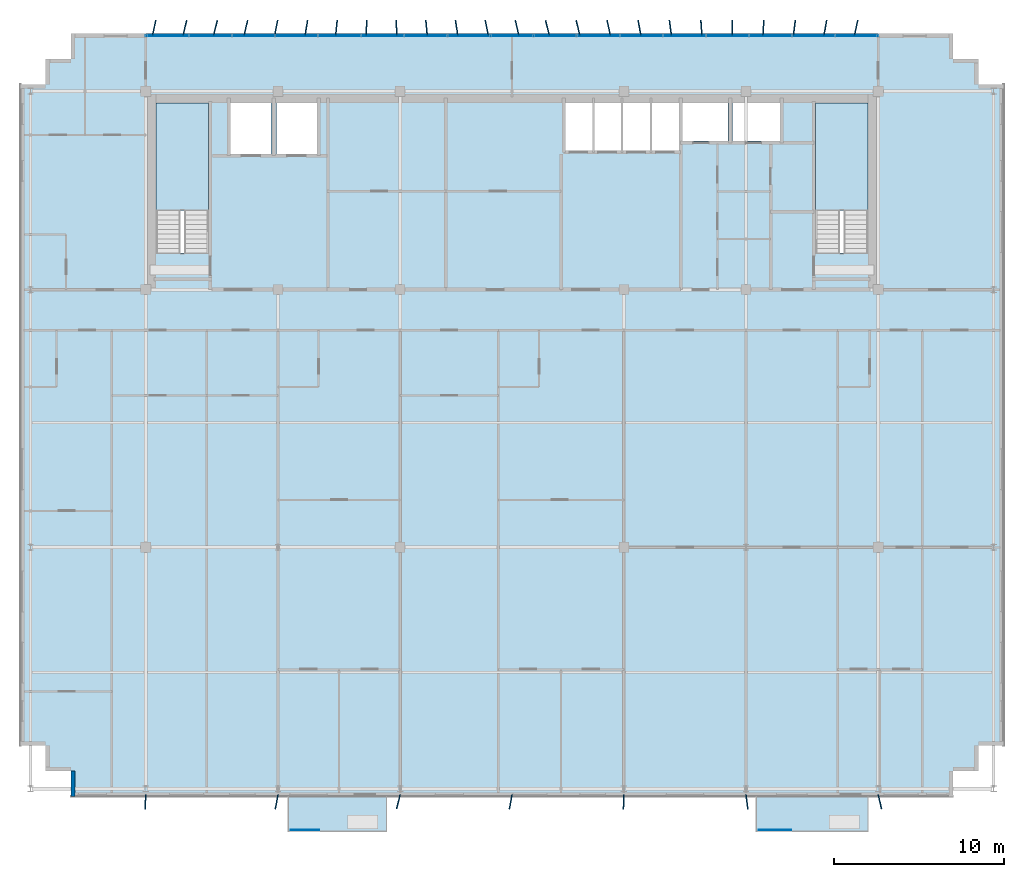
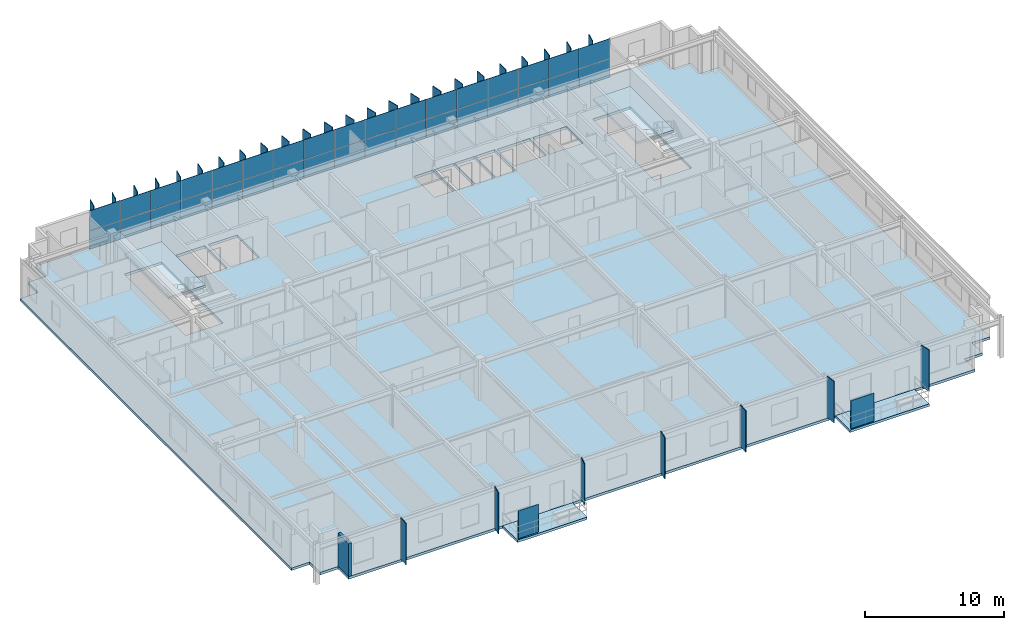
# One storey, part 15 of 23: 67 plates, 5 slabs, 1 wall, 3 elements without a shape of their own.
"""IFC4 building model written with IfcOpenShell, lengths in metres."""

from ifc_helpers import new_model, si_unit, direction, frame, frame_2d, origin, origin_2d, place, context, subcontext, project, spatial, polyline, rectangle, outline, extrude, source, transform, mapped, material, layer, layer_set, type_object, element, aggregate, save


model = new_model("IFC4")

# Units and contexts
model_context = context("Model", 3, precision=1e-05, world=origin(), true_north=direction((0.0, 1.0)))
body_context = subcontext(model_context, "Body", "Model", "MODEL_VIEW")
ifc_project = project(units=[si_unit("LENGTHUNIT", "METRE"), si_unit("AREAUNIT", "SQUARE_METRE"), si_unit("VOLUMEUNIT", "CUBIC_METRE"), si_unit("PLANEANGLEUNIT", "RADIAN"), si_unit("MASSUNIT", "GRAM", prefix="KILO")], contexts=[model_context])

# Site, building, storey
site_placement = place(None, origin())
site = spatial("IfcSite", under=ifc_project, at=site_placement, CompositionType="ELEMENT")
building_placement = place(site_placement, origin())
building = spatial("IfcBuilding", under=site, at=building_placement, Name="Trelvane Seafront Commons", CompositionType="ELEMENT")
storey_placement = place(building_placement, frame((0.0, 0.0, 259.5)))
storey = spatial("IfcBuildingStorey", under=building, at=storey_placement, Name="L67", CompositionType="ELEMENT", Elevation=259.5)

# Slabs
ifc_material_1 = material(Name="Concrete C40/50", Category="concrete")
ifc_layer_1 = layer(ifc_material_1, 0.219970703125, Name="ARCH-BALC-220")
ifc_layer_set_1 = layer_set([ifc_layer_1], Name="Concrete C40/50")
slab_type_1 = type_object("IfcSlabType", Name="ARCH-BALC-220", PredefinedType="FLOOR", material=ifc_layer_set_1)
slab_1_placement = place(storey_placement, frame((0.0, 0.0, -0.219970703125)))
element("IfcSlab", 1, at=slab_1_placement, inside=storey, type_object=slab_type_1, Name="L67 Cantilevered Tree Balcony Loggia 2", PredefinedType="FLOOR", context=body_context, shape_type="SweptSolid", body=[
    extrude(outline(polyline([(24.0, 1.39990234375), (29.800048828125, 1.39990234375), (29.800048828125, 3.5), (24.0, 3.5), (24.0, 1.39990234375)])), origin(), (0.0, 0.0, 1.0), 0.219970703125),
])
slab_2_placement = place(storey_placement, frame((0.0, 0.0, -0.219970703125)))
element("IfcSlab", 2, at=slab_2_placement, inside=storey, type_object=slab_type_1, Name="L67 Cantilevered Tree Balcony Loggia 3", PredefinedType="FLOOR", context=body_context, shape_type="SweptSolid", body=[
    extrude(outline(polyline([(51.60009765625, 1.39990234375), (58.199951171875, 1.39990234375), (58.199951171875, 3.5), (51.60009765625, 3.5), (51.60009765625, 1.39990234375)])), origin(), (0.0, 0.0, 1.0), 0.219970703125),
])

# Stair, slab
stair_type_1 = type_object("IfcStairType", Name="ARCH-STR-ST-1-R20-180", PredefinedType="HALF_TURN_STAIR", material=ifc_material_1)
stair_1_placement = place(storey_placement, origin())
stair_1 = element("IfcStair", 3, at=stair_1_placement, inside=storey, type_object=stair_type_1, Name="L67 West Protected Firefighting Exit Stair ST-1", PredefinedType="HALF_TURN_STAIR")
ifc_layer_2 = layer(ifc_material_1, 0.199951171875, Name="ARCH-LND-200")
ifc_layer_set_2 = layer_set([ifc_layer_2], Name="Concrete C40/50")
slab_type_2 = type_object("IfcSlabType", Name="ARCH-LND-200", PredefinedType="LANDING", material=ifc_layer_set_2)
slab_3_placement = place(storey_placement, frame((0.0, 0.0, 1.60009765625)))
slab_3 = element("IfcSlab", 4, at=slab_3_placement, type_object=slab_type_2, Name="ST-1 landing 1", PredefinedType="LANDING", context=body_context, shape_type="SweptSolid", body=[
    extrude(outline(polyline([(19.300048828125, 38.070068359375), (19.300048828125, 44.39990234375), (16.199951171875, 44.39990234375), (16.199951171875, 38.070068359375), (19.300048828125, 38.070068359375)])), origin(), (0.0, 0.0, 1.0), 0.199951171875),
])
aggregate(stair_1, [slab_3])

stair_type_2 = type_object("IfcStairType", Name="ARCH-STR-ST-2-R20-180", PredefinedType="HALF_TURN_STAIR", material=ifc_material_1)
stair_2_placement = place(storey_placement, origin())
stair_2 = element("IfcStair", 5, at=stair_2_placement, inside=storey, type_object=stair_type_2, Name="L67 East Protected Firefighting Exit Stair ST-2", PredefinedType="HALF_TURN_STAIR")
slab_4_placement = place(storey_placement, frame((0.0, 0.0, 1.60009765625)))
slab_4 = element("IfcSlab", 6, at=slab_4_placement, type_object=slab_type_2, Name="ST-2 landing 1", PredefinedType="LANDING", context=body_context, shape_type="SweptSolid", body=[
    extrude(outline(polyline([(58.199951171875, 38.070068359375), (58.199951171875, 44.39990234375), (55.10009765625, 44.39990234375), (55.10009765625, 38.070068359375), (58.199951171875, 38.070068359375)])), origin(), (0.0, 0.0, 1.0), 0.199951171875),
])
aggregate(stair_2, [slab_4])

# Slab
ifc_material_2 = material(Name="Concrete C50/60", Category="concrete")
ifc_layer_3 = layer(ifc_material_2, 0.22998046875, Name="STR-SLB-Z5-230")
ifc_layer_set_3 = layer_set([ifc_layer_3], Name="Concrete C50/60")
slab_type_3 = type_object("IfcSlabType", Name="STR-SLB-Z5-230", PredefinedType="FLOOR", material=ifc_layer_set_3)
slab_5_placement = place(storey_placement, frame((0.0, 0.0, -0.22998046875)))
element("IfcSlab", 7, at=slab_5_placement, inside=storey, type_object=slab_type_3, Name="L67 Structural Floor Slab", PredefinedType="FLOOR", context=body_context, shape_type="SweptSolid", body=[
    extrude(outline(polyline([(11.199951171875, 3.5), (63.199951171875, 3.5), (63.199951171875, 5.0), (64.699951171875, 5.0), (64.699951171875, 6.5), (66.199951171875, 6.5), (66.199951171875, 45.5), (64.699951171875, 45.5), (64.699951171875, 47.0), (63.199951171875, 47.0), (63.199951171875, 48.5), (11.199951171875, 48.5), (11.199951171875, 47.0), (9.699951171875, 47.0), (9.699951171875, 45.5), (8.199951171875, 45.5), (8.199951171875, 6.5), (9.699951171875, 6.5), (9.699951171875, 5.0), (11.199951171875, 5.0), (11.199951171875, 3.5)]), holes=[polyline([(19.300048828125, 35.550048828125), (16.199951171875, 35.550048828125), (16.199951171875, 44.39990234375), (19.300048828125, 44.39990234375), (19.300048828125, 35.550048828125)]), polyline([(58.199951171875, 35.550048828125), (55.10009765625, 35.550048828125), (55.10009765625, 44.39990234375), (58.199951171875, 44.39990234375), (58.199951171875, 35.550048828125)]), polyline([(23.0, 41.39990234375), (20.60009765625, 41.39990234375), (20.60009765625, 44.60009765625), (23.0, 44.60009765625), (23.0, 41.39990234375)]), polyline([(23.300048828125, 41.39990234375), (23.300048828125, 44.60009765625), (25.699951171875, 44.60009765625), (25.699951171875, 41.39990234375), (23.300048828125, 41.39990234375)]), polyline([(40.35009765625, 41.60009765625), (40.35009765625, 44.60009765625), (41.969970703125, 44.60009765625), (41.969970703125, 41.60009765625), (40.35009765625, 41.60009765625)]), polyline([(43.669921875, 41.60009765625), (42.050048828125, 41.60009765625), (42.050048828125, 44.60009765625), (43.669921875, 44.60009765625), (43.669921875, 41.60009765625)]), polyline([(45.3701171875, 41.60009765625), (43.75, 41.60009765625), (43.75, 44.60009765625), (45.3701171875, 44.60009765625), (45.3701171875, 41.60009765625)]), polyline([(47.070068359375, 41.60009765625), (45.449951171875, 41.60009765625), (45.449951171875, 44.60009765625), (47.070068359375, 44.60009765625), (47.070068359375, 41.60009765625)]), polyline([(47.25, 42.14990234375), (47.25, 44.550048828125), (49.949951171875, 44.550048828125), (49.949951171875, 42.14990234375), (47.25, 42.14990234375)]), polyline([(50.199951171875, 42.14990234375), (50.199951171875, 44.550048828125), (53.0, 44.550048828125), (53.0, 42.14990234375), (50.199951171875, 42.14990234375)])]), origin(), (0.0, 0.0, 1.0), 0.22998046875),
])

# Plates
ifc_material_3 = material(Name="Perforated anodised aluminium screen", Category="aluminium")
ifc_layer_4 = layer(ifc_material_3, 0.01611328125, Name="ARCH-PLATE-SCREEN")
ifc_layer_set_4 = layer_set([ifc_layer_4], Name="Perforated anodised aluminium screen")
plate_type_1 = type_object("IfcPlateType", Name="ARCH-PLATE-SCREEN", PredefinedType="USERDEFINED", material=ifc_layer_set_4)
shared_shape_1 = source(origin(), body_context, "Body", "SweptSolid", [
    extrude(rectangle(XDim=1.9140625, YDim=0.01611328125, at=origin_2d()), origin(), (0.0, 0.0, 1.0), 2.449951171875),
])
plate_1_placement = place(storey_placement, frame((52.70703125, 1.52001953125, 0.0), z_axis=(0.0, 0.0, 1.0), x_axis=(1.0, 0.0, 0.0)))
element("IfcPlate", 8, at=plate_1_placement, inside=storey, type_object=plate_type_1, Name="SCR-L67-00233", ObjectType="SCREEN", PredefinedType="USERDEFINED", context=body_context, shape_type="MappedRepresentation", body=[
    mapped(shared_shape_1, transform((0.0, 0.0, 0.0), x_axis=(1.0, 0.0, 0.0), y_axis=(0.0, 1.0, 0.0), z_axis=(0.0, 0.0, 1.0), scale=1.0)),
])
shared_shape_2 = source(origin(), body_context, "Body", "SweptSolid", [
    extrude(rectangle(XDim=1.681884765625, YDim=0.01611328125, at=origin_2d()), origin(), (0.0, 0.0, 1.0), 2.449951171875),
])
plate_2_placement = place(storey_placement, frame((24.990966796875, 1.52001953125, 0.0), z_axis=(0.0, 0.0, 1.0), x_axis=(1.0, 0.0, 0.0)))
element("IfcPlate", 9, at=plate_2_placement, inside=storey, type_object=plate_type_1, Name="SCR-L67-00232", ObjectType="SCREEN", PredefinedType="USERDEFINED", context=body_context, shape_type="MappedRepresentation", body=[
    mapped(shared_shape_2, transform((0.0, 0.0, 0.0), x_axis=(1.0, 0.0, 0.0), y_axis=(0.0, 1.0, 0.0), z_axis=(0.0, 0.0, 1.0), scale=1.0)),
])
ifc_material_4 = material(Name="Anodised pale-silver aluminium", Category="aluminium")
ifc_layer_5 = layer(ifc_material_4, 0.06005859375, Name="ARCH-PLATE-FIN900")
ifc_layer_set_5 = layer_set([ifc_layer_5], Name="Anodised pale-silver aluminium")
plate_type_2 = type_object("IfcPlateType", Name="ARCH-PLATE-FIN900", PredefinedType="USERDEFINED", material=ifc_layer_set_5)
shared_shape_3 = source(origin(), body_context, "Body", "SweptSolid", [
    extrude(rectangle(XDim=0.89990234375, YDim=0.06005859375, at=origin_2d()), origin(), (0.0, 0.0, 1.0), 3.639892578125),
])
for number, where, z_axis, x_axis, name in (
    (10, (16.095947265625, 48.839599609375, -0.02001953125), (0.0, 0.0, 1.0), (0.213117354008, 0.977026608348, 0.0), "FIN-L67-01849"),
    (11, (17.90625, 48.83740234375, -0.02001953125), (0.0, 0.0, 1.0), (0.235993611507, 0.971754606538, 0.0), "FIN-L67-01850"),
    (12, (19.708740234375, 48.836669921875, -0.02001953125), (0.0, 0.0, 1.0), (0.24167294527, 0.970357762645, 0.0), "FIN-L67-01851"),
    (13, (21.50341796875, 48.837890625, -0.02001953125), (0.0, 0.0, 1.0), (0.229677745048, 0.973266732931, 0.0), "FIN-L67-01852"),
    (14, (23.290283203125, 48.8408203125, -0.02001953125), (0.0, 0.0, 1.0), (0.200877884238, 0.979616289995, 0.0), "FIN-L67-01853"),
    (15, (25.07080078125, 48.844482421875, -0.02001953125), (0.0, 0.0, 1.0), (0.157115345146, 0.987580259179, 0.0), "FIN-L67-01854"),
    (16, (26.845703125, 48.84765625, -0.02001953125), (0.0, 0.0, 1.0), (0.101440032819, 0.994841655612, 0.0), "FIN-L67-01855"),
    (17, (28.616943359375, 48.849609375, -0.02001953125), (0.0, 0.0, 1.0), (0.037887264009, 0.999282019865, 0.0), "FIN-L67-01856"),
    (18, (30.38720703125, 48.849853515625, -0.02001953125), (0.0, 0.0, 1.0), (-0.028668340539, 0.999588978656, 0.0), "FIN-L67-01857"),
    (19, (32.158203125, 48.84814453125, -0.02001953125), (0.0, 0.0, 1.0), (-0.092890197211, 0.995676358694, 0.0), "FIN-L67-01858"),
    (20, (33.9326171875, 48.844970703125, -0.02001953125), (0.0, 0.0, 1.0), (-0.150002992873, 0.988685542591, 0.0), "FIN-L67-01859"),
    (21, (35.7119140625, 48.84130859375, -0.02001953125), (0.0, 0.0, 1.0), (-0.195667162559, 0.980670363321, 0.0), "FIN-L67-01860"),
    (22, (37.498046875, 48.83837890625, -0.02001953125), (0.0, 0.0, 1.0), (-0.226659806972, 0.973973989336, 0.0), "FIN-L67-01861"),
    (23, (39.29150390625, 48.836669921875, -0.02001953125), (0.0, 0.0, 1.0), (-0.240992061138, 0.970527086932, 0.0), "FIN-L67-01862"),
    (24, (41.093017578125, 48.837158203125, -0.02001953125), (0.0, 0.0, 1.0), (-0.237879153157, 0.971294758811, 0.0), "FIN-L67-01863"),
    (25, (42.902099609375, 48.839111328125, -0.02001953125), (0.0, 0.0, 1.0), (-0.217330693667, 0.976098032776, 0.0), "FIN-L67-01864"),
    (26, (44.718505859375, 48.842529296875, -0.02001953125), (0.0, 0.0, 1.0), (-0.180771487747, 0.983525123837, 0.0), "FIN-L67-01865"),
    (27, (46.541259765625, 48.84619140625, -0.02001953125), (0.0, 0.0, 1.0), (-0.130555608924, 0.991440988147, 0.0), "FIN-L67-01866"),
    (28, (48.368408203125, 48.848876953125, -0.02001953125), (0.0, 0.0, 1.0), (-0.070331017789, 0.997523707957, 0.0), "FIN-L67-01867"),
    (29, (50.197998046875, 48.85009765625, -0.02001953125), (0.0, 0.0, 1.0), (-0.004666993478, 0.999989109527, 0.0), "FIN-L67-01868"),
    (30, (52.027587890625, 48.84912109375, -0.02001953125), (0.0, 0.0, 1.0), (0.061334237143, 0.998117283366, 0.0), "FIN-L67-01869"),
    (31, (53.855224609375, 48.8466796875, -0.02001953125), (0.0, 0.0, 1.0), (0.122667903314, 0.992447774695, 0.0), "FIN-L67-01870"),
    (32, (55.678466796875, 48.843017578125, -0.02001953125), (0.0, 0.0, 1.0), (0.174443931663, 0.984667108573, 0.0), "FIN-L67-01871"),
    (33, (57.495849609375, 48.839599609375, -0.02001953125), (0.0, 0.0, 1.0), (0.213117354008, 0.977026608348, 0.0), "FIN-L67-01872"),
):
    element("IfcPlate", number, at=place(storey_placement, frame(where, z_axis=z_axis, x_axis=x_axis)), inside=storey, type_object=plate_type_2, Name=name, ObjectType="FIN", PredefinedType="USERDEFINED", context=body_context, shape_type="MappedRepresentation", body=[
        mapped(shared_shape_3, transform((0.0, 0.0, 0.0), x_axis=(1.0, 0.0, 0.0), y_axis=(0.0, 1.0, 0.0), z_axis=(0.0, 0.0, 1.0), scale=1.0)),
    ])
shared_shape_4 = source(origin(), body_context, "Body", "SweptSolid", [
    extrude(rectangle(XDim=0.85009765625, YDim=0.06005859375, at=origin_2d()), origin(), (0.0, 0.0, 1.0), 3.639892578125),
])
for number, where, z_axis, x_axis, name in (
    (34, (15.5791015625, 3.175537109375, -0.02001953125), (0.0, 0.0, 1.0), (-0.049174010892, -0.998790226551, 0.0), "FIN-S-L67-01873"),
    (35, (23.319091796875, 3.182861328125, -0.02001953125), (0.0, 0.0, 1.0), (-0.190706198572, -0.981647159537, 0.0), "FIN-S-L67-01874"),
    (36, (30.497314453125, 3.1875, -0.02001953125), (0.0, 0.0, 1.0), (-0.241761011151, -0.970335825108, 0.0), "FIN-S-L67-01875"),
    (37, (37.123291015625, 3.181884765625, -0.02001953125), (0.0, 0.0, 1.0), (-0.180707974089, -0.983536795499, 0.0), "FIN-S-L67-01876"),
    (38, (43.78564453125, 3.17529296875, -0.02001953125), (0.0, 0.0, 1.0), (-0.033765701559, -0.999429776121, 0.0), "FIN-S-L67-01877"),
    (39, (51.05517578125, 3.1787109375, -0.02001953125), (0.0, 0.0, 1.0), (0.129650560188, -0.991559747188, 0.0), "FIN-S-L67-01878"),
    (40, (58.89794921875, 3.186279296875, -0.02001953125), (0.0, 0.0, 1.0), (0.23058643372, -0.973051846812, 0.0), "FIN-S-L67-01879"),
):
    element("IfcPlate", number, at=place(storey_placement, frame(where, z_axis=z_axis, x_axis=x_axis)), inside=storey, type_object=plate_type_2, Name=name, ObjectType="FIN", PredefinedType="USERDEFINED", context=body_context, shape_type="MappedRepresentation", body=[
        mapped(shared_shape_4, transform((0.0, 0.0, 0.0), x_axis=(1.0, 0.0, 0.0), y_axis=(0.0, 1.0, 0.0), z_axis=(0.0, 0.0, 1.0), scale=1.0)),
    ])

# Curtain wall, plates
curtain_wall_type = type_object("IfcCurtainWallType", Name="ARCH-CW5-UPTOWER", PredefinedType="NOTDEFINED", material=ifc_material_4)
curtain_wall_placement = place(storey_placement, origin())
curtain_wall = element("IfcCurtainWall", 41, at=curtain_wall_placement, inside=storey, type_object=curtain_wall_type, Name="CW-L67-0111", PredefinedType="NOTDEFINED")
ifc_material_5 = material(Name="Low-E coastal double glazing", Category="glass")
ifc_layer_6 = layer(ifc_material_5, 0.033935546875, Name="ARCH-CW-GLAZ-34")
ifc_layer_set_6 = layer_set([ifc_layer_6], Name="Low-E coastal double glazing")
plate_type_3 = type_object("IfcPlateType", Name="ARCH-CW-GLAZ-34", PredefinedType="CURTAIN_PANEL", material=ifc_layer_set_6)
shared_shape_5 = source(origin(), body_context, "Body", "SweptSolid", [
    extrude(rectangle(XDim=2.51708984375, YDim=0.033935546875, at=origin_2d()), origin(), (0.0, 0.0, 1.0), 1.60009765625),
])
plate_3_placement = place(storey_placement, frame((16.87060546875, 48.3701171875, 0.0), z_axis=(0.0, 0.0, 1.0), x_axis=(1.0, 0.0, 0.0)))
plate_3 = element("IfcPlate", 42, at=plate_3_placement, type_object=plate_type_3, Name="CW-L67-0111-P00-1", PredefinedType="CURTAIN_PANEL", context=body_context, shape_type="MappedRepresentation", body=[
    mapped(shared_shape_5, transform((0.0, 0.0, 0.0), x_axis=(1.0, 0.0, 0.0), y_axis=(0.0, 1.0, 0.0), z_axis=(0.0, 0.0, 1.0), scale=1.0)),
])
plate_4_placement = place(storey_placement, frame((19.411865234375, 48.3701171875, 0.0), z_axis=(0.0, 0.0, 1.0), x_axis=(1.0, 0.0, 0.0)))
plate_4 = element("IfcPlate", 43, at=plate_4_placement, type_object=plate_type_3, Name="CW-L67-0111-P01-1", PredefinedType="CURTAIN_PANEL", context=body_context, shape_type="MappedRepresentation", body=[
    mapped(shared_shape_5, transform((0.0, 0.0, 0.0), x_axis=(1.0, 0.0, 0.0), y_axis=(0.0, 1.0, 0.0), z_axis=(0.0, 0.0, 1.0), scale=1.0)),
])
plate_5_placement = place(storey_placement, frame((21.952880859375, 48.3701171875, 0.0), z_axis=(0.0, 0.0, 1.0), x_axis=(1.0, 0.0, 0.0)))
plate_5 = element("IfcPlate", 44, at=plate_5_placement, type_object=plate_type_3, Name="CW-L67-0111-P02-1", PredefinedType="CURTAIN_PANEL", context=body_context, shape_type="MappedRepresentation", body=[
    mapped(shared_shape_5, transform((0.0, 0.0, 0.0), x_axis=(1.0, 0.0, 0.0), y_axis=(0.0, 1.0, 0.0), z_axis=(0.0, 0.0, 1.0), scale=1.0)),
])
plate_6_placement = place(storey_placement, frame((24.494140625, 48.3701171875, 0.0), z_axis=(0.0, 0.0, 1.0), x_axis=(1.0, 0.0, 0.0)))
plate_6 = element("IfcPlate", 45, at=plate_6_placement, type_object=plate_type_3, Name="CW-L67-0111-P03-1", PredefinedType="CURTAIN_PANEL", context=body_context, shape_type="MappedRepresentation", body=[
    mapped(shared_shape_5, transform((0.0, 0.0, 0.0), x_axis=(1.0, 0.0, 0.0), y_axis=(0.0, 1.0, 0.0), z_axis=(0.0, 0.0, 1.0), scale=1.0)),
])
plate_7_placement = place(storey_placement, frame((27.035400390625, 48.3701171875, 0.0), z_axis=(0.0, 0.0, 1.0), x_axis=(1.0, 0.0, 0.0)))
plate_7 = element("IfcPlate", 46, at=plate_7_placement, type_object=plate_type_3, Name="CW-L67-0111-P04-1", PredefinedType="CURTAIN_PANEL", context=body_context, shape_type="MappedRepresentation", body=[
    mapped(shared_shape_5, transform((0.0, 0.0, 0.0), x_axis=(1.0, 0.0, 0.0), y_axis=(0.0, 1.0, 0.0), z_axis=(0.0, 0.0, 1.0), scale=1.0)),
])
plate_8_placement = place(storey_placement, frame((29.576416015625, 48.3701171875, 0.0), z_axis=(0.0, 0.0, 1.0), x_axis=(1.0, 0.0, 0.0)))
plate_8 = element("IfcPlate", 47, at=plate_8_placement, type_object=plate_type_3, Name="CW-L67-0111-P05-1", PredefinedType="CURTAIN_PANEL", context=body_context, shape_type="MappedRepresentation", body=[
    mapped(shared_shape_5, transform((0.0, 0.0, 0.0), x_axis=(1.0, 0.0, 0.0), y_axis=(0.0, 1.0, 0.0), z_axis=(0.0, 0.0, 1.0), scale=1.0)),
])
plate_9_placement = place(storey_placement, frame((32.11767578125, 48.3701171875, 0.0), z_axis=(0.0, 0.0, 1.0), x_axis=(1.0, 0.0, 0.0)))
plate_9 = element("IfcPlate", 48, at=plate_9_placement, type_object=plate_type_3, Name="CW-L67-0111-P06-1", PredefinedType="CURTAIN_PANEL", context=body_context, shape_type="MappedRepresentation", body=[
    mapped(shared_shape_5, transform((0.0, 0.0, 0.0), x_axis=(1.0, 0.0, 0.0), y_axis=(0.0, 1.0, 0.0), z_axis=(0.0, 0.0, 1.0), scale=1.0)),
])
plate_10_placement = place(storey_placement, frame((34.65869140625, 48.3701171875, 0.0), z_axis=(0.0, 0.0, 1.0), x_axis=(1.0, 0.0, 0.0)))
plate_10 = element("IfcPlate", 49, at=plate_10_placement, type_object=plate_type_3, Name="CW-L67-0111-P07-1", PredefinedType="CURTAIN_PANEL", context=body_context, shape_type="MappedRepresentation", body=[
    mapped(shared_shape_5, transform((0.0, 0.0, 0.0), x_axis=(1.0, 0.0, 0.0), y_axis=(0.0, 1.0, 0.0), z_axis=(0.0, 0.0, 1.0), scale=1.0)),
])
plate_11_placement = place(storey_placement, frame((37.199951171875, 48.3701171875, 0.0), z_axis=(0.0, 0.0, 1.0), x_axis=(1.0, 0.0, 0.0)))
plate_11 = element("IfcPlate", 50, at=plate_11_placement, type_object=plate_type_3, Name="CW-L67-0111-P08-1", PredefinedType="CURTAIN_PANEL", context=body_context, shape_type="MappedRepresentation", body=[
    mapped(shared_shape_5, transform((0.0, 0.0, 0.0), x_axis=(1.0, 0.0, 0.0), y_axis=(0.0, 1.0, 0.0), z_axis=(0.0, 0.0, 1.0), scale=1.0)),
])
plate_12_placement = place(storey_placement, frame((39.7412109375, 48.3701171875, 0.0), z_axis=(0.0, 0.0, 1.0), x_axis=(1.0, 0.0, 0.0)))
plate_12 = element("IfcPlate", 51, at=plate_12_placement, type_object=plate_type_3, Name="CW-L67-0111-P09-1", PredefinedType="CURTAIN_PANEL", context=body_context, shape_type="MappedRepresentation", body=[
    mapped(shared_shape_5, transform((0.0, 0.0, 0.0), x_axis=(1.0, 0.0, 0.0), y_axis=(0.0, 1.0, 0.0), z_axis=(0.0, 0.0, 1.0), scale=1.0)),
])
plate_13_placement = place(storey_placement, frame((42.282470703125, 48.3701171875, 0.0), z_axis=(0.0, 0.0, 1.0), x_axis=(1.0, 0.0, 0.0)))
plate_13 = element("IfcPlate", 52, at=plate_13_placement, type_object=plate_type_3, Name="CW-L67-0111-P10-1", PredefinedType="CURTAIN_PANEL", context=body_context, shape_type="MappedRepresentation", body=[
    mapped(shared_shape_5, transform((0.0, 0.0, 0.0), x_axis=(1.0, 0.0, 0.0), y_axis=(0.0, 1.0, 0.0), z_axis=(0.0, 0.0, 1.0), scale=1.0)),
])
plate_14_placement = place(storey_placement, frame((44.823486328125, 48.3701171875, 0.0), z_axis=(0.0, 0.0, 1.0), x_axis=(1.0, 0.0, 0.0)))
plate_14 = element("IfcPlate", 53, at=plate_14_placement, type_object=plate_type_3, Name="CW-L67-0111-P11-1", PredefinedType="CURTAIN_PANEL", context=body_context, shape_type="MappedRepresentation", body=[
    mapped(shared_shape_5, transform((0.0, 0.0, 0.0), x_axis=(1.0, 0.0, 0.0), y_axis=(0.0, 1.0, 0.0), z_axis=(0.0, 0.0, 1.0), scale=1.0)),
])
plate_15_placement = place(storey_placement, frame((47.36474609375, 48.3701171875, 0.0), z_axis=(0.0, 0.0, 1.0), x_axis=(1.0, 0.0, 0.0)))
plate_15 = element("IfcPlate", 54, at=plate_15_placement, type_object=plate_type_3, Name="CW-L67-0111-P12-1", PredefinedType="CURTAIN_PANEL", context=body_context, shape_type="MappedRepresentation", body=[
    mapped(shared_shape_5, transform((0.0, 0.0, 0.0), x_axis=(1.0, 0.0, 0.0), y_axis=(0.0, 1.0, 0.0), z_axis=(0.0, 0.0, 1.0), scale=1.0)),
])
plate_16_placement = place(storey_placement, frame((49.906005859375, 48.3701171875, 0.0), z_axis=(0.0, 0.0, 1.0), x_axis=(1.0, 0.0, 0.0)))
plate_16 = element("IfcPlate", 55, at=plate_16_placement, type_object=plate_type_3, Name="CW-L67-0111-P13-1", PredefinedType="CURTAIN_PANEL", context=body_context, shape_type="MappedRepresentation", body=[
    mapped(shared_shape_5, transform((0.0, 0.0, 0.0), x_axis=(1.0, 0.0, 0.0), y_axis=(0.0, 1.0, 0.0), z_axis=(0.0, 0.0, 1.0), scale=1.0)),
])
plate_17_placement = place(storey_placement, frame((52.447021484375, 48.3701171875, 0.0), z_axis=(0.0, 0.0, 1.0), x_axis=(1.0, 0.0, 0.0)))
plate_17 = element("IfcPlate", 56, at=plate_17_placement, type_object=plate_type_3, Name="CW-L67-0111-P14-1", PredefinedType="CURTAIN_PANEL", context=body_context, shape_type="MappedRepresentation", body=[
    mapped(shared_shape_5, transform((0.0, 0.0, 0.0), x_axis=(1.0, 0.0, 0.0), y_axis=(0.0, 1.0, 0.0), z_axis=(0.0, 0.0, 1.0), scale=1.0)),
])
plate_18_placement = place(storey_placement, frame((54.98828125, 48.3701171875, 0.0), z_axis=(0.0, 0.0, 1.0), x_axis=(1.0, 0.0, 0.0)))
plate_18 = element("IfcPlate", 57, at=plate_18_placement, type_object=plate_type_3, Name="CW-L67-0111-P15-1", PredefinedType="CURTAIN_PANEL", context=body_context, shape_type="MappedRepresentation", body=[
    mapped(shared_shape_5, transform((0.0, 0.0, 0.0), x_axis=(1.0, 0.0, 0.0), y_axis=(0.0, 1.0, 0.0), z_axis=(0.0, 0.0, 1.0), scale=1.0)),
])
plate_19_placement = place(storey_placement, frame((57.529296875, 48.3701171875, 0.0), z_axis=(0.0, 0.0, 1.0), x_axis=(1.0, 0.0, 0.0)))
plate_19 = element("IfcPlate", 58, at=plate_19_placement, type_object=plate_type_3, Name="CW-L67-0111-P16-1", PredefinedType="CURTAIN_PANEL", context=body_context, shape_type="MappedRepresentation", body=[
    mapped(shared_shape_5, transform((0.0, 0.0, 0.0), x_axis=(1.0, 0.0, 0.0), y_axis=(0.0, 1.0, 0.0), z_axis=(0.0, 0.0, 1.0), scale=1.0)),
])
shared_shape_6 = source(origin(), body_context, "Body", "SweptSolid", [
    extrude(rectangle(XDim=2.51708984375, YDim=0.033935546875, at=origin_2d()), origin(), (0.0, 0.0, 1.0), 1.73388671875),
])
plate_20_placement = place(storey_placement, frame((16.87060546875, 48.3701171875, 1.635986328125), z_axis=(0.0, 0.0, 1.0), x_axis=(1.0, 0.0, 0.0)))
plate_20 = element("IfcPlate", 59, at=plate_20_placement, type_object=plate_type_3, Name="CW-L67-0111-P00-2", PredefinedType="CURTAIN_PANEL", context=body_context, shape_type="MappedRepresentation", body=[
    mapped(shared_shape_6, transform((0.0, 0.0, 0.0), x_axis=(1.0, 0.0, 0.0), y_axis=(0.0, 1.0, 0.0), z_axis=(0.0, 0.0, 1.0), scale=1.0)),
])
plate_21_placement = place(storey_placement, frame((19.411865234375, 48.3701171875, 1.635986328125), z_axis=(0.0, 0.0, 1.0), x_axis=(1.0, 0.0, 0.0)))
plate_21 = element("IfcPlate", 60, at=plate_21_placement, type_object=plate_type_3, Name="CW-L67-0111-P01-2", PredefinedType="CURTAIN_PANEL", context=body_context, shape_type="MappedRepresentation", body=[
    mapped(shared_shape_6, transform((0.0, 0.0, 0.0), x_axis=(1.0, 0.0, 0.0), y_axis=(0.0, 1.0, 0.0), z_axis=(0.0, 0.0, 1.0), scale=1.0)),
])
plate_22_placement = place(storey_placement, frame((21.952880859375, 48.3701171875, 1.635986328125), z_axis=(0.0, 0.0, 1.0), x_axis=(1.0, 0.0, 0.0)))
plate_22 = element("IfcPlate", 61, at=plate_22_placement, type_object=plate_type_3, Name="CW-L67-0111-P02-2", PredefinedType="CURTAIN_PANEL", context=body_context, shape_type="MappedRepresentation", body=[
    mapped(shared_shape_6, transform((0.0, 0.0, 0.0), x_axis=(1.0, 0.0, 0.0), y_axis=(0.0, 1.0, 0.0), z_axis=(0.0, 0.0, 1.0), scale=1.0)),
])
plate_23_placement = place(storey_placement, frame((24.494140625, 48.3701171875, 1.635986328125), z_axis=(0.0, 0.0, 1.0), x_axis=(1.0, 0.0, 0.0)))
plate_23 = element("IfcPlate", 62, at=plate_23_placement, type_object=plate_type_3, Name="CW-L67-0111-P03-2", PredefinedType="CURTAIN_PANEL", context=body_context, shape_type="MappedRepresentation", body=[
    mapped(shared_shape_6, transform((0.0, 0.0, 0.0), x_axis=(1.0, 0.0, 0.0), y_axis=(0.0, 1.0, 0.0), z_axis=(0.0, 0.0, 1.0), scale=1.0)),
])
plate_24_placement = place(storey_placement, frame((27.035400390625, 48.3701171875, 1.635986328125), z_axis=(0.0, 0.0, 1.0), x_axis=(1.0, 0.0, 0.0)))
plate_24 = element("IfcPlate", 63, at=plate_24_placement, type_object=plate_type_3, Name="CW-L67-0111-P04-2", PredefinedType="CURTAIN_PANEL", context=body_context, shape_type="MappedRepresentation", body=[
    mapped(shared_shape_6, transform((0.0, 0.0, 0.0), x_axis=(1.0, 0.0, 0.0), y_axis=(0.0, 1.0, 0.0), z_axis=(0.0, 0.0, 1.0), scale=1.0)),
])
plate_25_placement = place(storey_placement, frame((29.576416015625, 48.3701171875, 1.635986328125), z_axis=(0.0, 0.0, 1.0), x_axis=(1.0, 0.0, 0.0)))
plate_25 = element("IfcPlate", 64, at=plate_25_placement, type_object=plate_type_3, Name="CW-L67-0111-P05-2", PredefinedType="CURTAIN_PANEL", context=body_context, shape_type="MappedRepresentation", body=[
    mapped(shared_shape_6, transform((0.0, 0.0, 0.0), x_axis=(1.0, 0.0, 0.0), y_axis=(0.0, 1.0, 0.0), z_axis=(0.0, 0.0, 1.0), scale=1.0)),
])
plate_26_placement = place(storey_placement, frame((32.11767578125, 48.3701171875, 1.635986328125), z_axis=(0.0, 0.0, 1.0), x_axis=(1.0, 0.0, 0.0)))
plate_26 = element("IfcPlate", 65, at=plate_26_placement, type_object=plate_type_3, Name="CW-L67-0111-P06-2", PredefinedType="CURTAIN_PANEL", context=body_context, shape_type="MappedRepresentation", body=[
    mapped(shared_shape_6, transform((0.0, 0.0, 0.0), x_axis=(1.0, 0.0, 0.0), y_axis=(0.0, 1.0, 0.0), z_axis=(0.0, 0.0, 1.0), scale=1.0)),
])
plate_27_placement = place(storey_placement, frame((34.65869140625, 48.3701171875, 1.635986328125), z_axis=(0.0, 0.0, 1.0), x_axis=(1.0, 0.0, 0.0)))
plate_27 = element("IfcPlate", 66, at=plate_27_placement, type_object=plate_type_3, Name="CW-L67-0111-P07-2", PredefinedType="CURTAIN_PANEL", context=body_context, shape_type="MappedRepresentation", body=[
    mapped(shared_shape_6, transform((0.0, 0.0, 0.0), x_axis=(1.0, 0.0, 0.0), y_axis=(0.0, 1.0, 0.0), z_axis=(0.0, 0.0, 1.0), scale=1.0)),
])
plate_28_placement = place(storey_placement, frame((37.199951171875, 48.3701171875, 1.635986328125), z_axis=(0.0, 0.0, 1.0), x_axis=(1.0, 0.0, 0.0)))
plate_28 = element("IfcPlate", 67, at=plate_28_placement, type_object=plate_type_3, Name="CW-L67-0111-P08-2", PredefinedType="CURTAIN_PANEL", context=body_context, shape_type="MappedRepresentation", body=[
    mapped(shared_shape_6, transform((0.0, 0.0, 0.0), x_axis=(1.0, 0.0, 0.0), y_axis=(0.0, 1.0, 0.0), z_axis=(0.0, 0.0, 1.0), scale=1.0)),
])
plate_29_placement = place(storey_placement, frame((39.7412109375, 48.3701171875, 1.635986328125), z_axis=(0.0, 0.0, 1.0), x_axis=(1.0, 0.0, 0.0)))
plate_29 = element("IfcPlate", 68, at=plate_29_placement, type_object=plate_type_3, Name="CW-L67-0111-P09-2", PredefinedType="CURTAIN_PANEL", context=body_context, shape_type="MappedRepresentation", body=[
    mapped(shared_shape_6, transform((0.0, 0.0, 0.0), x_axis=(1.0, 0.0, 0.0), y_axis=(0.0, 1.0, 0.0), z_axis=(0.0, 0.0, 1.0), scale=1.0)),
])
plate_30_placement = place(storey_placement, frame((42.282470703125, 48.3701171875, 1.635986328125), z_axis=(0.0, 0.0, 1.0), x_axis=(1.0, 0.0, 0.0)))
plate_30 = element("IfcPlate", 69, at=plate_30_placement, type_object=plate_type_3, Name="CW-L67-0111-P10-2", PredefinedType="CURTAIN_PANEL", context=body_context, shape_type="MappedRepresentation", body=[
    mapped(shared_shape_6, transform((0.0, 0.0, 0.0), x_axis=(1.0, 0.0, 0.0), y_axis=(0.0, 1.0, 0.0), z_axis=(0.0, 0.0, 1.0), scale=1.0)),
])
plate_31_placement = place(storey_placement, frame((44.823486328125, 48.3701171875, 1.635986328125), z_axis=(0.0, 0.0, 1.0), x_axis=(1.0, 0.0, 0.0)))
plate_31 = element("IfcPlate", 70, at=plate_31_placement, type_object=plate_type_3, Name="CW-L67-0111-P11-2", PredefinedType="CURTAIN_PANEL", context=body_context, shape_type="MappedRepresentation", body=[
    mapped(shared_shape_6, transform((0.0, 0.0, 0.0), x_axis=(1.0, 0.0, 0.0), y_axis=(0.0, 1.0, 0.0), z_axis=(0.0, 0.0, 1.0), scale=1.0)),
])
plate_32_placement = place(storey_placement, frame((47.36474609375, 48.3701171875, 1.635986328125), z_axis=(0.0, 0.0, 1.0), x_axis=(1.0, 0.0, 0.0)))
plate_32 = element("IfcPlate", 71, at=plate_32_placement, type_object=plate_type_3, Name="CW-L67-0111-P12-2", PredefinedType="CURTAIN_PANEL", context=body_context, shape_type="MappedRepresentation", body=[
    mapped(shared_shape_6, transform((0.0, 0.0, 0.0), x_axis=(1.0, 0.0, 0.0), y_axis=(0.0, 1.0, 0.0), z_axis=(0.0, 0.0, 1.0), scale=1.0)),
])
plate_33_placement = place(storey_placement, frame((49.906005859375, 48.3701171875, 1.635986328125), z_axis=(0.0, 0.0, 1.0), x_axis=(1.0, 0.0, 0.0)))
plate_33 = element("IfcPlate", 72, at=plate_33_placement, type_object=plate_type_3, Name="CW-L67-0111-P13-2", PredefinedType="CURTAIN_PANEL", context=body_context, shape_type="MappedRepresentation", body=[
    mapped(shared_shape_6, transform((0.0, 0.0, 0.0), x_axis=(1.0, 0.0, 0.0), y_axis=(0.0, 1.0, 0.0), z_axis=(0.0, 0.0, 1.0), scale=1.0)),
])
plate_34_placement = place(storey_placement, frame((52.447021484375, 48.3701171875, 1.635986328125), z_axis=(0.0, 0.0, 1.0), x_axis=(1.0, 0.0, 0.0)))
plate_34 = element("IfcPlate", 73, at=plate_34_placement, type_object=plate_type_3, Name="CW-L67-0111-P14-2", PredefinedType="CURTAIN_PANEL", context=body_context, shape_type="MappedRepresentation", body=[
    mapped(shared_shape_6, transform((0.0, 0.0, 0.0), x_axis=(1.0, 0.0, 0.0), y_axis=(0.0, 1.0, 0.0), z_axis=(0.0, 0.0, 1.0), scale=1.0)),
])
plate_35_placement = place(storey_placement, frame((54.98828125, 48.3701171875, 1.635986328125), z_axis=(0.0, 0.0, 1.0), x_axis=(1.0, 0.0, 0.0)))
plate_35 = element("IfcPlate", 74, at=plate_35_placement, type_object=plate_type_3, Name="CW-L67-0111-P15-2", PredefinedType="CURTAIN_PANEL", context=body_context, shape_type="MappedRepresentation", body=[
    mapped(shared_shape_6, transform((0.0, 0.0, 0.0), x_axis=(1.0, 0.0, 0.0), y_axis=(0.0, 1.0, 0.0), z_axis=(0.0, 0.0, 1.0), scale=1.0)),
])
plate_36_placement = place(storey_placement, frame((57.529296875, 48.3701171875, 1.635986328125), z_axis=(0.0, 0.0, 1.0), x_axis=(1.0, 0.0, 0.0)))
plate_36 = element("IfcPlate", 75, at=plate_36_placement, type_object=plate_type_3, Name="CW-L67-0111-P16-2", PredefinedType="CURTAIN_PANEL", context=body_context, shape_type="MappedRepresentation", body=[
    mapped(shared_shape_6, transform((0.0, 0.0, 0.0), x_axis=(1.0, 0.0, 0.0), y_axis=(0.0, 1.0, 0.0), z_axis=(0.0, 0.0, 1.0), scale=1.0)),
])
aggregate(curtain_wall, [plate_3, plate_20, plate_4, plate_21, plate_5, plate_22, plate_6, plate_23, plate_7, plate_24, plate_8, plate_25, plate_9, plate_26, plate_10, plate_27, plate_11, plate_28, plate_12, plate_29, plate_13, plate_30, plate_14, plate_31, plate_15, plate_32, plate_16, plate_33, plate_17, plate_34, plate_18, plate_35, plate_19, plate_36])

# Wall
ifc_material_6 = material(Name="Precast concrete C40/50", Category="concrete")
ifc_layer_7 = layer(ifc_material_6, 0.239990234375, Name="ARCH-WALL-EXT240")
ifc_layer_set_7 = layer_set([ifc_layer_7], Name="Precast concrete C40/50")
wall_type = type_object("IfcWallType", Name="ARCH-WALL-EXT240", PredefinedType="SOLIDWALL", material=ifc_layer_set_7)
wall_placement = place(storey_placement, frame((11.320068359375, 3.5, 0.0), z_axis=(0.0, 0.0, 1.0), x_axis=(0.0, 1.0, 0.0)))
element("IfcWall", 76, at=wall_placement, inside=storey, type_object=wall_type, Name="EW-L67-01360", PredefinedType="SOLIDWALL", context=body_context, shape_type="SweptSolid", body=[
    extrude(rectangle(XDim=1.5, YDim=0.239990234375, at=frame_2d((0.75, 0.0))), origin(), (0.0, 0.0, 1.0), 2.919921875),
])

save(model, "model.ifc")
